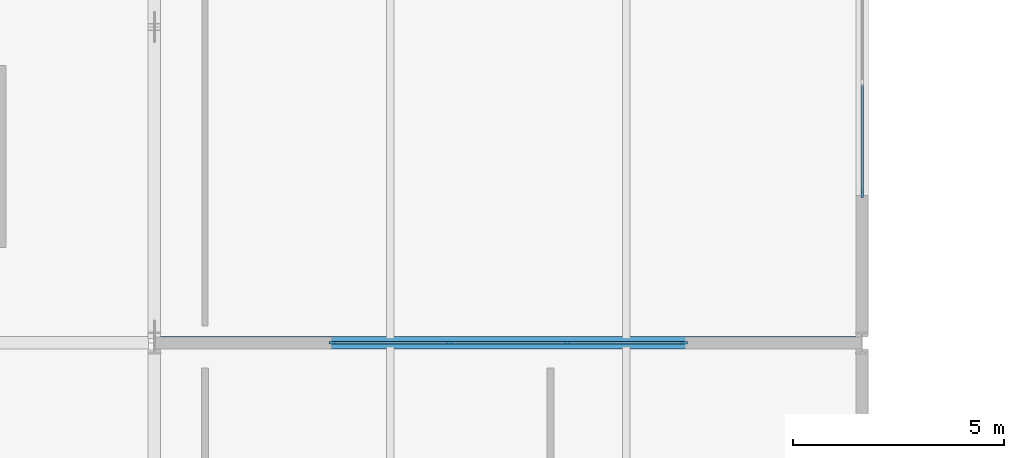
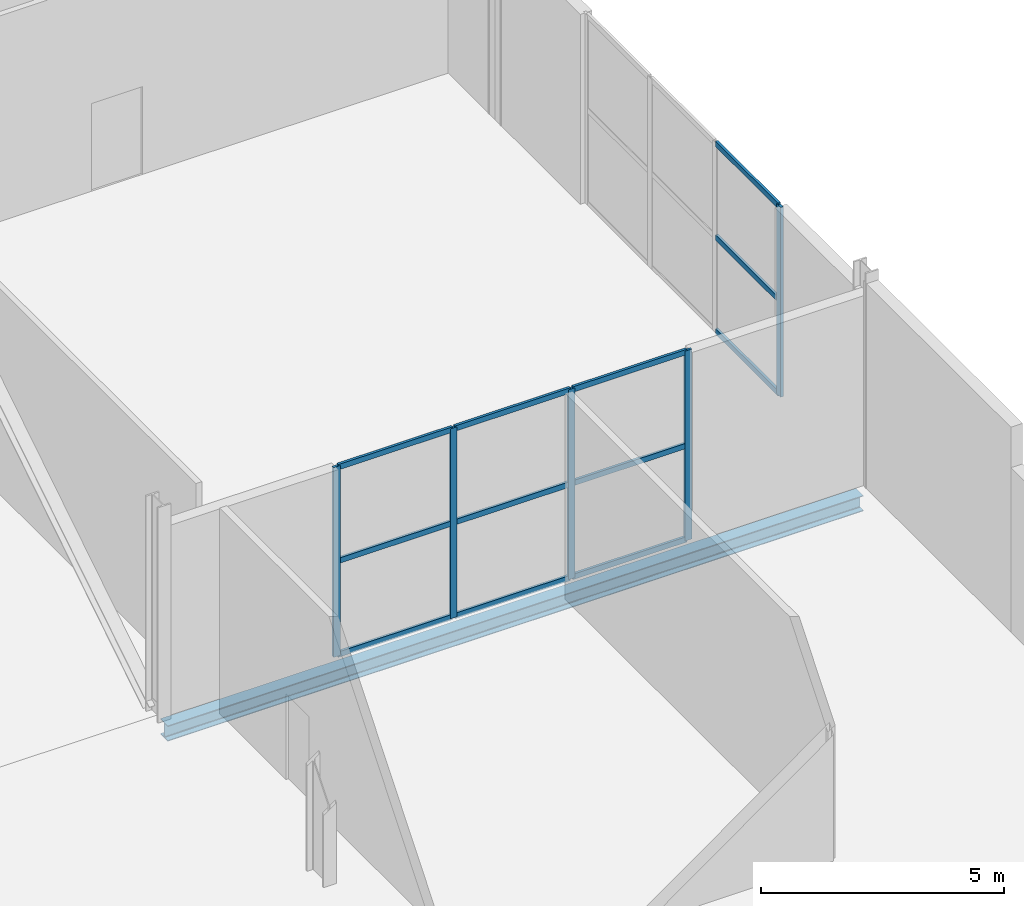
# One storey, part 46 of 84: 17 members, 1 beam, 2 elements without a shape of their own.
"""IFC4 building model written with IfcOpenShell, lengths in metres."""

from ifc_helpers import new_model, si_unit, direction, frame, origin, origin_2d, place, context, subcontext, project, spatial, rectangle, i_section, extrude, material, material_profile, profile_set, type_object, element, aggregate, save


model = new_model("IFC4")

# Units and contexts
model_context = context("Model", 3, precision=1e-05, world=origin(), true_north=direction((0.0, 1.0)))
body_context = subcontext(model_context, "Body", "Model", "MODEL_VIEW")
ifc_project = project(units=[si_unit("LENGTHUNIT", "METRE"), si_unit("AREAUNIT", "SQUARE_METRE"), si_unit("VOLUMEUNIT", "CUBIC_METRE"), si_unit("PLANEANGLEUNIT", "RADIAN"), si_unit("MASSUNIT", "GRAM", prefix="KILO")], contexts=[model_context])

# Site, building, storey
site_placement = place(None, origin())
site = spatial("IfcSite", under=ifc_project, at=site_placement, CompositionType="ELEMENT")
building_placement = place(site_placement, origin())
building = spatial("IfcBuilding", under=site, at=building_placement, Name="Kimbaza Rail Terminus", CompositionType="ELEMENT")
storey_placement = place(building_placement, frame((0.0, 0.0, 5.39990234375)))
storey = spatial("IfcBuildingStorey", under=building, at=storey_placement, Name="L01", CompositionType="ELEMENT", Elevation=5.39990234375)

# Curtain wall, members
ifc_material_1 = material(Name="Anodised aluminium framing and solar low-E glazing", Category="aluminium")
curtain_wall_type = type_object("IfcCurtainWallType", Name="ARC-CW-OP1", PredefinedType="USERDEFINED", material=ifc_material_1)
curtain_wall_1_placement = place(storey_placement, origin())
curtain_wall_1 = element("IfcCurtainWall", 1, at=curtain_wall_1_placement, inside=storey, type_object=curtain_wall_type, Name="Operations South Curtain Wall L01 Bay 6", ObjectType="UNITISED CURTAIN WALL", PredefinedType="USERDEFINED")
ifc_material_2 = material(Name="Anodised architectural aluminium", Category="aluminium")
ifc_material_profile_1 = material_profile(ifc_material_2, rectangle(XDim=0.06201171875, YDim=0.1650390625, at=origin_2d()), Name="MULLION 62x165")
ifc_profile_set_1 = profile_set([ifc_material_profile_1], Name="Anodised architectural aluminium")
member_type_1 = type_object("IfcMemberType", Name="ARC-CWM-05", PredefinedType="MULLION", material=ifc_profile_set_1)
member_1_placement = place(storey_placement, frame((143.430908203125, 103.0, 0.0), z_axis=(0.0, 0.0, 1.0), x_axis=(0.0, 1.0, 0.0)))
member_1 = element("IfcMember", 2, at=member_1_placement, type_object=member_type_1, Name="CW-05 mullion 1", PredefinedType="MULLION", context=body_context, shape_type="SweptSolid", body=[
    extrude(rectangle(XDim=0.06201171875, YDim=0.1650390625, at=origin_2d()), origin(), (0.0, 0.0, 1.0), 4.76513671875),
])
member_2_placement = place(storey_placement, frame((146.199951171875, 103.0, 0.0), z_axis=(0.0, 0.0, 1.0), x_axis=(0.0, 1.0, 0.0)))
member_2 = element("IfcMember", 3, at=member_2_placement, type_object=member_type_1, Name="CW-05 mullion 2", PredefinedType="MULLION", context=body_context, shape_type="SweptSolid", body=[
    extrude(rectangle(XDim=0.06201171875, YDim=0.1650390625, at=origin_2d()), origin(), (0.0, 0.0, 1.0), 4.76513671875),
])
member_3_placement = place(storey_placement, frame((149.0, 103.0, 0.0), z_axis=(0.0, 0.0, 1.0), x_axis=(0.0, 1.0, 0.0)))
member_3 = element("IfcMember", 4, at=member_3_placement, type_object=member_type_1, Name="CW-05 mullion 3", PredefinedType="MULLION", context=body_context, shape_type="SweptSolid", body=[
    extrude(rectangle(XDim=0.06201171875, YDim=0.1650390625, at=origin_2d()), origin(), (0.0, 0.0, 1.0), 4.76513671875),
])
member_4_placement = place(storey_placement, frame((151.76904296875, 103.0, 0.0), z_axis=(0.0, 0.0, 1.0), x_axis=(0.0, 1.0, 0.0)))
member_4 = element("IfcMember", 5, at=member_4_placement, type_object=member_type_1, Name="CW-05 mullion 4", PredefinedType="MULLION", context=body_context, shape_type="SweptSolid", body=[
    extrude(rectangle(XDim=0.06201171875, YDim=0.1650390625, at=origin_2d()), origin(), (0.0, 0.0, 1.0), 4.76513671875),
])

# Curtain wall, member
curtain_wall_2_placement = place(storey_placement, origin())
curtain_wall_2 = element("IfcCurtainWall", 6, at=curtain_wall_2_placement, inside=storey, type_object=curtain_wall_type, Name="Operations E Curtain Wall L01.1", ObjectType="UNITISED CURTAIN WALL", PredefinedType="USERDEFINED")
member_5_placement = place(storey_placement, frame((156.0, 106.531005859375, 0.0), z_axis=(0.0, 0.0, 1.0), x_axis=(-1.0, 0.0, 0.0)))
member_5 = element("IfcMember", 7, at=member_5_placement, type_object=member_type_1, Name="CW-05 mullion 1", PredefinedType="MULLION", context=body_context, shape_type="SweptSolid", body=[
    extrude(rectangle(XDim=0.06201171875, YDim=0.1650390625, at=origin_2d()), origin(), (0.0, 0.0, 1.0), 4.76513671875),
])

# Member
ifc_material_3 = material(Name="Anodised architectural aluminium", Category="aluminium")
ifc_material_profile_2 = material_profile(ifc_material_3, rectangle(XDim=0.06201171875, YDim=0.135009765625, at=origin_2d()), Name="TRANSOM 62x135")
ifc_profile_set_2 = profile_set([ifc_material_profile_2], Name="Anodised architectural aluminium")
member_type_2 = type_object("IfcMemberType", Name="ARC-CWT-05", PredefinedType="USERDEFINED", material=ifc_profile_set_2)
member_6_placement = place(storey_placement, frame((143.4619140625, 103.0, 0.031005859375), z_axis=(1.0, 0.0, 0.0), x_axis=(0.0, 1.0, 0.0)))
member_6 = element("IfcMember", 8, at=member_6_placement, type_object=member_type_2, Name="CW-05 transom 1.1", ObjectType="TRANSOM", PredefinedType="USERDEFINED", context=body_context, shape_type="SweptSolid", body=[
    extrude(rectangle(XDim=0.06201171875, YDim=0.135009765625, at=origin_2d()), origin(), (0.0, 0.0, 1.0), 2.70703125),
])

member_7_placement = place(storey_placement, frame((143.4619140625, 103.0, 2.382568359375), z_axis=(1.0, 0.0, 0.0), x_axis=(0.0, 1.0, 0.0)))
member_7 = element("IfcMember", 9, at=member_7_placement, type_object=member_type_2, Name="CW-05 transom 1.2", ObjectType="TRANSOM", PredefinedType="USERDEFINED", context=body_context, shape_type="SweptSolid", body=[
    extrude(rectangle(XDim=0.06201171875, YDim=0.135009765625, at=origin_2d()), origin(), (0.0, 0.0, 1.0), 2.70703125),
])

member_8_placement = place(storey_placement, frame((143.4619140625, 103.0, 4.734130859375), z_axis=(1.0, 0.0, 0.0), x_axis=(0.0, 1.0, 0.0)))
member_8 = element("IfcMember", 10, at=member_8_placement, type_object=member_type_2, Name="CW-05 transom 1.3", ObjectType="TRANSOM", PredefinedType="USERDEFINED", context=body_context, shape_type="SweptSolid", body=[
    extrude(rectangle(XDim=0.06201171875, YDim=0.135009765625, at=origin_2d()), origin(), (0.0, 0.0, 1.0), 2.70703125),
])

member_9_placement = place(storey_placement, frame((146.23095703125, 103.0, 0.031005859375), z_axis=(1.0, 0.0, 0.0), x_axis=(0.0, 1.0, 0.0)))
member_9 = element("IfcMember", 11, at=member_9_placement, type_object=member_type_2, Name="CW-05 transom 2.1", ObjectType="TRANSOM", PredefinedType="USERDEFINED", context=body_context, shape_type="SweptSolid", body=[
    extrude(rectangle(XDim=0.06201171875, YDim=0.135009765625, at=origin_2d()), origin(), (0.0, 0.0, 1.0), 2.738037109375),
])

member_10_placement = place(storey_placement, frame((146.23095703125, 103.0, 2.382568359375), z_axis=(1.0, 0.0, 0.0), x_axis=(0.0, 1.0, 0.0)))
member_10 = element("IfcMember", 12, at=member_10_placement, type_object=member_type_2, Name="CW-05 transom 2.2", ObjectType="TRANSOM", PredefinedType="USERDEFINED", context=body_context, shape_type="SweptSolid", body=[
    extrude(rectangle(XDim=0.06201171875, YDim=0.135009765625, at=origin_2d()), origin(), (0.0, 0.0, 1.0), 2.738037109375),
])

member_11_placement = place(storey_placement, frame((146.23095703125, 103.0, 4.734130859375), z_axis=(1.0, 0.0, 0.0), x_axis=(0.0, 1.0, 0.0)))
member_11 = element("IfcMember", 13, at=member_11_placement, type_object=member_type_2, Name="CW-05 transom 2.3", ObjectType="TRANSOM", PredefinedType="USERDEFINED", context=body_context, shape_type="SweptSolid", body=[
    extrude(rectangle(XDim=0.06201171875, YDim=0.135009765625, at=origin_2d()), origin(), (0.0, 0.0, 1.0), 2.738037109375),
])

member_12_placement = place(storey_placement, frame((149.031005859375, 103.0, 0.031005859375), z_axis=(1.0, 0.0, 0.0), x_axis=(0.0, 1.0, 0.0)))
member_12 = element("IfcMember", 14, at=member_12_placement, type_object=member_type_2, Name="CW-05 transom 3.1", ObjectType="TRANSOM", PredefinedType="USERDEFINED", context=body_context, shape_type="SweptSolid", body=[
    extrude(rectangle(XDim=0.06201171875, YDim=0.135009765625, at=origin_2d()), origin(), (0.0, 0.0, 1.0), 2.70703125),
])

member_13_placement = place(storey_placement, frame((149.031005859375, 103.0, 2.382568359375), z_axis=(1.0, 0.0, 0.0), x_axis=(0.0, 1.0, 0.0)))
member_13 = element("IfcMember", 15, at=member_13_placement, type_object=member_type_2, Name="CW-05 transom 3.2", ObjectType="TRANSOM", PredefinedType="USERDEFINED", context=body_context, shape_type="SweptSolid", body=[
    extrude(rectangle(XDim=0.06201171875, YDim=0.135009765625, at=origin_2d()), origin(), (0.0, 0.0, 1.0), 2.70703125),
])

member_14_placement = place(storey_placement, frame((149.031005859375, 103.0, 4.734130859375), z_axis=(1.0, 0.0, 0.0), x_axis=(0.0, 1.0, 0.0)))
member_14 = element("IfcMember", 16, at=member_14_placement, type_object=member_type_2, Name="CW-05 transom 3.3", ObjectType="TRANSOM", PredefinedType="USERDEFINED", context=body_context, shape_type="SweptSolid", body=[
    extrude(rectangle(XDim=0.06201171875, YDim=0.135009765625, at=origin_2d()), origin(), (0.0, 0.0, 1.0), 2.70703125),
])

aggregate(curtain_wall_1, [member_1, member_2, member_3, member_4, member_6, member_7, member_8, member_9, member_10, member_11, member_12, member_13, member_14])

member_15_placement = place(storey_placement, frame((156.0, 106.56201171875, 0.031005859375), z_axis=(0.0, 1.0, 0.0), x_axis=(-1.0, 0.0, 0.0)))
member_15 = element("IfcMember", 17, at=member_15_placement, type_object=member_type_2, Name="CW-05 transom 1.1", ObjectType="TRANSOM", PredefinedType="USERDEFINED", context=body_context, shape_type="SweptSolid", body=[
    extrude(rectangle(XDim=0.06201171875, YDim=0.135009765625, at=origin_2d()), origin(), (0.0, 0.0, 1.0), 2.57373046875),
])

member_16_placement = place(storey_placement, frame((156.0, 106.56201171875, 2.382568359375), z_axis=(0.0, 1.0, 0.0), x_axis=(-1.0, 0.0, 0.0)))
member_16 = element("IfcMember", 18, at=member_16_placement, type_object=member_type_2, Name="CW-05 transom 1.2", ObjectType="TRANSOM", PredefinedType="USERDEFINED", context=body_context, shape_type="SweptSolid", body=[
    extrude(rectangle(XDim=0.06201171875, YDim=0.135009765625, at=origin_2d()), origin(), (0.0, 0.0, 1.0), 2.57373046875),
])

member_17_placement = place(storey_placement, frame((156.0, 106.56201171875, 4.734130859375), z_axis=(0.0, 1.0, 0.0), x_axis=(-1.0, 0.0, 0.0)))
member_17 = element("IfcMember", 19, at=member_17_placement, type_object=member_type_2, Name="CW-05 transom 1.3", ObjectType="TRANSOM", PredefinedType="USERDEFINED", context=body_context, shape_type="SweptSolid", body=[
    extrude(rectangle(XDim=0.06201171875, YDim=0.135009765625, at=origin_2d()), origin(), (0.0, 0.0, 1.0), 2.57373046875),
])

aggregate(curtain_wall_2, [member_5, member_15, member_16, member_17])

# Beam
ifc_material_4 = material(Name="Steel S355", Category="steel")
ifc_material_profile_3 = material_profile(ifc_material_4, i_section(OverallWidth=0.300048828125, OverallDepth=0.389892578125, WebThickness=0.010986328125, FlangeThickness=0.01904296875, FilletRadius=0.027099609375, at=origin_2d()), Name="HEA 400")
ifc_profile_set_3 = profile_set([ifc_material_profile_3], Name="Steel S355")
beam_type = type_object("IfcBeamType", Name="STR-BM-HEA400", PredefinedType="SPANDREL", material=ifc_profile_set_3)
beam_placement = place(storey_placement, frame((139.345947265625, 103.0, -0.434814453125), z_axis=(1.0, 0.0, 0.0), x_axis=(0.0, 1.0, 0.0)))
element("IfcBeam", 20, at=beam_placement, inside=storey, type_object=beam_type, Name="Operations Girder L01 X5-Y0", PredefinedType="SPANDREL", context=body_context, shape_type="SweptSolid", body=[
    extrude(i_section(OverallWidth=0.300048828125, OverallDepth=0.389892578125, WebThickness=0.010986328125, FlangeThickness=0.01904296875, FilletRadius=0.027099609375, at=origin_2d()), origin(), (0.0, 0.0, 1.0), 16.508056640625),
])

save(model, "model.ifc")
